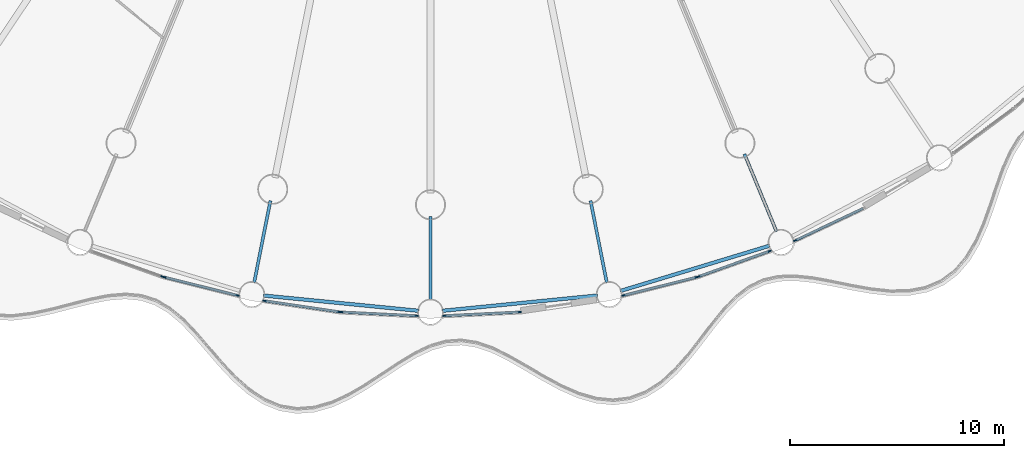
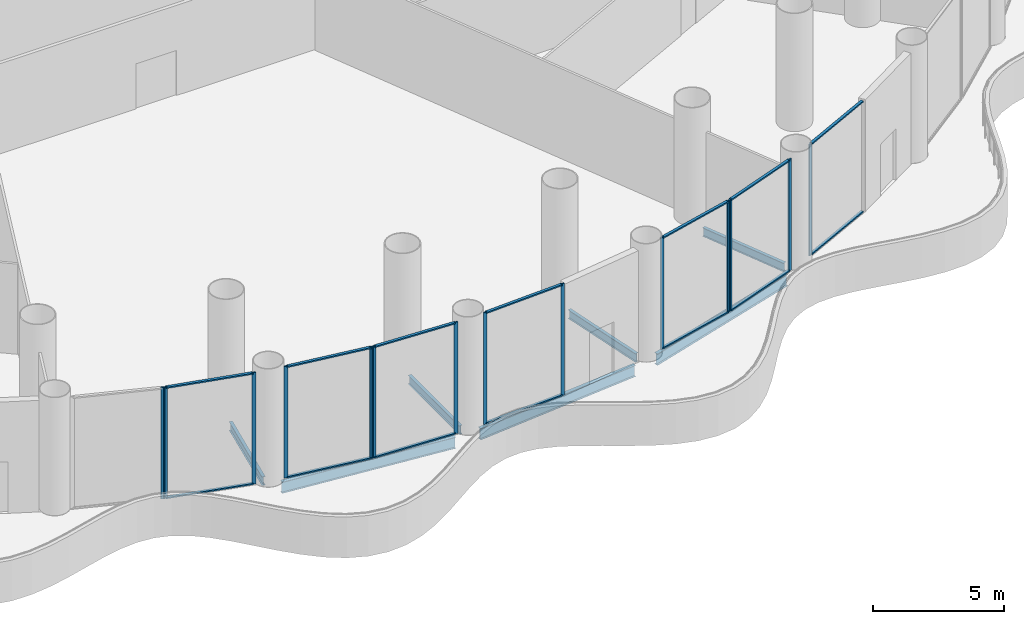
# One storey, part 5 of 37: 28 members, 7 beams, 8 elements without a shape of their own.
"""IFC4 building model written with IfcOpenShell, lengths in metres."""

from ifc_helpers import new_model, si_unit, direction, frame, origin, origin_2d, place, context, subcontext, project, spatial, rectangle, i_section, extrude, material, material_profile, profile_set, type_object, element, aggregate, save


model = new_model("IFC4")

# Units and contexts
model_context = context("Model", 3, precision=1e-05, world=origin(), true_north=direction((0.0, 1.0)))
body_context = subcontext(model_context, "Body", "Model", "MODEL_VIEW")
ifc_project = project(units=[si_unit("LENGTHUNIT", "METRE"), si_unit("AREAUNIT", "SQUARE_METRE"), si_unit("VOLUMEUNIT", "CUBIC_METRE"), si_unit("PLANEANGLEUNIT", "RADIAN"), si_unit("MASSUNIT", "GRAM", prefix="KILO")], contexts=[model_context])

# Site, building, storey
site_placement = place(None, origin())
site = spatial("IfcSite", under=ifc_project, at=site_placement, CompositionType="ELEMENT")
building_placement = place(site_placement, origin())
building = spatial("IfcBuilding", under=site, at=building_placement, Name="Corvane Civic Tower", CompositionType="ELEMENT")
storey_placement = place(building_placement, frame((0.0, 0.0, 11.5)))
storey = spatial("IfcBuildingStorey", under=building, at=storey_placement, Name="L02", CompositionType="ELEMENT", Elevation=11.5)

# Beams
ifc_material_1 = material(Name="Steel ASTM A992 Gr 50", Category="steel")
ifc_material_profile_1 = material_profile(ifc_material_1, i_section(OverallWidth=0.165771484375, OverallDepth=0.5283203125, WebThickness=0.009765625, FlangeThickness=0.013671875, at=origin_2d()), Name="W21X50")
ifc_profile_set_1 = profile_set([ifc_material_profile_1], Name="Steel ASTM A992 Gr 50")
beam_type_1 = type_object("IfcBeamType", Name="EDGE BEAM W21X50", PredefinedType="BEAM", material=ifc_profile_set_1)
for number, where, z_axis, x_axis, name in (
    (1, (15.814208984375, -39.609375, -0.564208984375), (-0.956938225664, -0.290291633127, 0.0), (0.290291633127, -0.956938225664, 0.0), "BM-L02-E15"),
    (2, (7.782958984375, -41.93359375, -0.564208984375), (-0.995187967953, -0.097984225478, 0.0), (0.097984225478, -0.995187967953, 0.0), "BM-L02-E16"),
    (3, (-0.54736328125, -42.64599609375, -0.564208984375), (-0.995187967953, 0.097984225478, 0.0), (-0.097984225478, -0.995187967953, 0.0), "BM-L02-E17"),
):
    element("IfcBeam", number, at=place(storey_placement, frame(where, z_axis=z_axis, x_axis=x_axis)), inside=storey, type_object=beam_type_1, Name=name, PredefinedType="BEAM", context=body_context, shape_type="SweptSolid", body=[
        extrude(i_section(OverallWidth=0.165771484375, OverallDepth=0.5283203125, WebThickness=0.009765625, FlangeThickness=0.013671875, at=origin_2d()), origin(), (0.0, 0.0, 1.0), 7.2705078125),
    ])
ifc_material_2 = material(Name="Steel ASTM A992 Gr 50", Category="steel")
ifc_material_profile_2 = material_profile(ifc_material_2, i_section(OverallWidth=0.140380859375, OverallDepth=0.40380859375, WebThickness=0.007080078125, FlangeThickness=0.01123046875, at=origin_2d()), Name="W16X31")
ifc_profile_set_2 = profile_set([ifc_material_profile_2], Name="Steel ASTM A992 Gr 50")
beam_type_2 = type_object("IfcBeamType", Name="FLOOR GIRDER W16X31", PredefinedType="BEAM", material=ifc_profile_set_2)
for number, where, z_axis, x_axis, name in (
    (4, (14.6376953125, -35.33837890625, -0.501953125), (0.382685369162, -0.923878730261, 0.0), (0.923878730261, 0.382685369162, 0.0), "BM-L02-G15b"),
    (5, (7.462158203125, -37.51513671875, -0.501953125), (0.195128858343, -0.980777614264, 0.0), (0.980777614264, 0.195128858343, 0.0), "BM-L02-G16b"),
    (6, (0.0, -38.25, -0.501953125), (0.0, -1.0, 0.0), (1.0, 0.0, 0.0), "BM-L02-G17b"),
    (7, (-7.462158203125, -37.51513671875, -0.501953125), (-0.195128858343, -0.980777614264, 0.0), (0.980777614264, -0.195128858343, 0.0), "BM-L02-G18b"),
):
    element("IfcBeam", number, at=place(storey_placement, frame(where, z_axis=z_axis, x_axis=x_axis)), inside=storey, type_object=beam_type_2, Name=name, PredefinedType="BEAM", context=body_context, shape_type="SweptSolid", body=[
        extrude(i_section(OverallWidth=0.140380859375, OverallDepth=0.40380859375, WebThickness=0.007080078125, FlangeThickness=0.01123046875, at=origin_2d()), origin(), (0.0, 0.0, 1.0), 3.89990234375),
    ])

# Curtain wall, member
ifc_material_3 = material(Name="Aluminium and glass", Category="aluminium")
curtain_wall_type = type_object("IfcCurtainWallType", Name="PODIUM-CW-P-RUN", PredefinedType="NOTDEFINED", material=ifc_material_3)
curtain_wall_1_placement = place(storey_placement, origin())
curtain_wall_1 = element("IfcCurtainWall", 8, at=curtain_wall_1_placement, inside=storey, type_object=curtain_wall_type, Name="PODI run L02-drum-14B", PredefinedType="NOTDEFINED")
ifc_material_4 = material(Name="Anodised aluminium bronze", Category="aluminium")
ifc_material_profile_3 = material_profile(ifc_material_4, rectangle(XDim=0.06005859375, YDim=0.159912109375, at=origin_2d()), Name="AL 60x160")
ifc_profile_set_3 = profile_set([ifc_material_profile_3], Name="Anodised aluminium bronze")
member_type_1 = type_object("IfcMemberType", Name="PODIUM-CWP-MULLION-60x160", PredefinedType="MULLION", material=ifc_profile_set_3)
member_1_placement = place(storey_placement, frame((17.00439453125, -39.36767578125, 0.0), z_axis=(0.0, 0.0, 1.0), x_axis=(0.42755312852, -0.903990222454, 0.0)))
member_1 = element("IfcMember", 9, at=member_1_placement, type_object=member_type_1, Name="CW-P mullion 2", PredefinedType="MULLION", context=body_context, shape_type="SweptSolid", body=[
    extrude(rectangle(XDim=0.06005859375, YDim=0.159912109375, at=origin_2d()), origin(), (0.0, 0.0, 1.0), 5.199951171875),
])

# Curtain wall, members
curtain_wall_2_placement = place(storey_placement, origin())
curtain_wall_2 = element("IfcCurtainWall", 10, at=curtain_wall_2_placement, inside=storey, type_object=curtain_wall_type, Name="PODI run L02-drum-15A", PredefinedType="NOTDEFINED")
member_2_placement = place(storey_placement, frame((15.81298828125, -39.861083984375, 0.0), z_axis=(0.0, 0.0, 1.0), x_axis=(0.336918534123, -0.941533802561, 0.0)))
member_2 = element("IfcMember", 11, at=member_2_placement, type_object=member_type_1, Name="CW-P mullion 1", PredefinedType="MULLION", context=body_context, shape_type="SweptSolid", body=[
    extrude(rectangle(XDim=0.06005859375, YDim=0.159912109375, at=origin_2d()), origin(), (0.0, 0.0, 1.0), 5.199951171875),
])
member_3_placement = place(storey_placement, frame((12.4990234375, -41.046875, 0.0), z_axis=(0.0, 0.0, 1.0), x_axis=(0.336918534123, -0.941533802561, 0.0)))
member_3 = element("IfcMember", 12, at=member_3_placement, type_object=member_type_1, Name="CW-P mullion 2", PredefinedType="MULLION", context=body_context, shape_type="SweptSolid", body=[
    extrude(rectangle(XDim=0.06005859375, YDim=0.159912109375, at=origin_2d()), origin(), (0.0, 0.0, 1.0), 5.199951171875),
])

curtain_wall_3_placement = place(storey_placement, origin())
curtain_wall_3 = element("IfcCurtainWall", 13, at=curtain_wall_3_placement, inside=storey, type_object=curtain_wall_type, Name="PODI run L02-drum-15B", PredefinedType="NOTDEFINED")
member_4_placement = place(storey_placement, frame((12.411865234375, -41.0732421875, 0.0), z_axis=(0.0, 0.0, 1.0), x_axis=(0.243008852393, -0.970024070659, 0.0)))
member_4 = element("IfcMember", 14, at=member_4_placement, type_object=member_type_1, Name="CW-P mullion 1", PredefinedType="MULLION", context=body_context, shape_type="SweptSolid", body=[
    extrude(rectangle(XDim=0.06005859375, YDim=0.159912109375, at=origin_2d()), origin(), (0.0, 0.0, 1.0), 5.199951171875),
])
member_5_placement = place(storey_placement, frame((8.99755859375, -41.9287109375, 0.0), z_axis=(0.0, 0.0, 1.0), x_axis=(0.243008852393, -0.970024070659, 0.0)))
member_5 = element("IfcMember", 15, at=member_5_placement, type_object=member_type_1, Name="CW-P mullion 2", PredefinedType="MULLION", context=body_context, shape_type="SweptSolid", body=[
    extrude(rectangle(XDim=0.06005859375, YDim=0.159912109375, at=origin_2d()), origin(), (0.0, 0.0, 1.0), 5.199951171875),
])

curtain_wall_4_placement = place(storey_placement, origin())
curtain_wall_4 = element("IfcCurtainWall", 16, at=curtain_wall_4_placement, inside=storey, type_object=curtain_wall_type, Name="PODI run L02-drum-16B", PredefinedType="NOTDEFINED")
member_6_placement = place(storey_placement, frame((4.16064453125, -42.70556640625, 0.0), z_axis=(0.0, 0.0, 1.0), x_axis=(0.04905015332, -0.998796316803, 0.0)))
member_6 = element("IfcMember", 17, at=member_6_placement, type_object=member_type_1, Name="CW-P mullion 1", PredefinedType="MULLION", context=body_context, shape_type="SweptSolid", body=[
    extrude(rectangle(XDim=0.06005859375, YDim=0.159912109375, at=origin_2d()), origin(), (0.0, 0.0, 1.0), 5.199951171875),
])
member_7_placement = place(storey_placement, frame((0.644775390625, -42.878173828125, 0.0), z_axis=(0.0, 0.0, 1.0), x_axis=(0.04905015332, -0.998796316803, 0.0)))
member_7 = element("IfcMember", 18, at=member_7_placement, type_object=member_type_1, Name="CW-P mullion 2", PredefinedType="MULLION", context=body_context, shape_type="SweptSolid", body=[
    extrude(rectangle(XDim=0.06005859375, YDim=0.159912109375, at=origin_2d()), origin(), (0.0, 0.0, 1.0), 5.199951171875),
])

curtain_wall_5_placement = place(storey_placement, origin())
curtain_wall_5 = element("IfcCurtainWall", 19, at=curtain_wall_5_placement, inside=storey, type_object=curtain_wall_type, Name="PODI run L02-drum-17A", PredefinedType="NOTDEFINED")
member_8_placement = place(storey_placement, frame((-0.644775390625, -42.878173828125, 0.0), z_axis=(0.0, 0.0, 1.0), x_axis=(-0.04905015332, -0.998796316803, 0.0)))
member_8 = element("IfcMember", 20, at=member_8_placement, type_object=member_type_1, Name="CW-P mullion 1", PredefinedType="MULLION", context=body_context, shape_type="SweptSolid", body=[
    extrude(rectangle(XDim=0.06005859375, YDim=0.159912109375, at=origin_2d()), origin(), (0.0, 0.0, 1.0), 5.199951171875),
])
member_9_placement = place(storey_placement, frame((-4.16064453125, -42.70556640625, 0.0), z_axis=(0.0, 0.0, 1.0), x_axis=(-0.04905015332, -0.998796316803, 0.0)))
member_9 = element("IfcMember", 21, at=member_9_placement, type_object=member_type_1, Name="CW-P mullion 2", PredefinedType="MULLION", context=body_context, shape_type="SweptSolid", body=[
    extrude(rectangle(XDim=0.06005859375, YDim=0.159912109375, at=origin_2d()), origin(), (0.0, 0.0, 1.0), 5.199951171875),
])

curtain_wall_6_placement = place(storey_placement, origin())
curtain_wall_6 = element("IfcCurtainWall", 22, at=curtain_wall_6_placement, inside=storey, type_object=curtain_wall_type, Name="PODI run L02-drum-17B", PredefinedType="NOTDEFINED")
member_10_placement = place(storey_placement, frame((-4.2509765625, -42.696533203125, 0.0), z_axis=(0.0, 0.0, 1.0), x_axis=(-0.146714694252, -0.989178850608, 0.0)))
member_10 = element("IfcMember", 23, at=member_10_placement, type_object=member_type_1, Name="CW-P mullion 1", PredefinedType="MULLION", context=body_context, shape_type="SweptSolid", body=[
    extrude(rectangle(XDim=0.06005859375, YDim=0.159912109375, at=origin_2d()), origin(), (0.0, 0.0, 1.0), 5.199951171875),
])
member_11_placement = place(storey_placement, frame((-7.732666015625, -42.18017578125, 0.0), z_axis=(0.0, 0.0, 1.0), x_axis=(-0.146714694252, -0.989178850608, 0.0)))
member_11 = element("IfcMember", 24, at=member_11_placement, type_object=member_type_1, Name="CW-P mullion 2", PredefinedType="MULLION", context=body_context, shape_type="SweptSolid", body=[
    extrude(rectangle(XDim=0.06005859375, YDim=0.159912109375, at=origin_2d()), origin(), (0.0, 0.0, 1.0), 5.199951171875),
])

curtain_wall_7_placement = place(storey_placement, origin())
curtain_wall_7 = element("IfcCurtainWall", 25, at=curtain_wall_7_placement, inside=storey, type_object=curtain_wall_type, Name="PODI run L02-drum-18A", PredefinedType="NOTDEFINED")
member_12_placement = place(storey_placement, frame((-8.99755859375, -41.9287109375, 0.0), z_axis=(0.0, 0.0, 1.0), x_axis=(-0.243008852393, -0.970024070659, 0.0)))
member_12 = element("IfcMember", 26, at=member_12_placement, type_object=member_type_1, Name="CW-P mullion 1", PredefinedType="MULLION", context=body_context, shape_type="SweptSolid", body=[
    extrude(rectangle(XDim=0.06005859375, YDim=0.159912109375, at=origin_2d()), origin(), (0.0, 0.0, 1.0), 5.199951171875),
])
member_13_placement = place(storey_placement, frame((-12.411865234375, -41.0732421875, 0.0), z_axis=(0.0, 0.0, 1.0), x_axis=(-0.243008852393, -0.970024070659, 0.0)))
member_13 = element("IfcMember", 27, at=member_13_placement, type_object=member_type_1, Name="CW-P mullion 2", PredefinedType="MULLION", context=body_context, shape_type="SweptSolid", body=[
    extrude(rectangle(XDim=0.06005859375, YDim=0.159912109375, at=origin_2d()), origin(), (0.0, 0.0, 1.0), 5.199951171875),
])

# Curtain wall, member
curtain_wall_8_placement = place(storey_placement, origin())
curtain_wall_8 = element("IfcCurtainWall", 28, at=curtain_wall_8_placement, inside=storey, type_object=curtain_wall_type, Name="PODI run L02-drum-18B", PredefinedType="NOTDEFINED")
member_14_placement = place(storey_placement, frame((-12.4990234375, -41.046875, 0.0), z_axis=(0.0, 0.0, 1.0), x_axis=(-0.336918534123, -0.941533802561, 0.0)))
member_14 = element("IfcMember", 29, at=member_14_placement, type_object=member_type_1, Name="CW-P mullion 1", PredefinedType="MULLION", context=body_context, shape_type="SweptSolid", body=[
    extrude(rectangle(XDim=0.06005859375, YDim=0.159912109375, at=origin_2d()), origin(), (0.0, 0.0, 1.0), 5.199951171875),
])
aggregate(curtain_wall_8, [member_14])

# Member
ifc_material_5 = material(Name="Anodised aluminium bronze", Category="aluminium")
ifc_material_profile_4 = material_profile(ifc_material_5, rectangle(XDim=0.1201171875, YDim=0.06005859375, at=origin_2d()), Name="AL 120x60")
ifc_profile_set_4 = profile_set([ifc_material_profile_4], Name="Anodised aluminium bronze")
member_type_2 = type_object("IfcMemberType", Name="PODIUM-CWP-TRANSOM-60x120", PredefinedType="USERDEFINED", material=ifc_profile_set_4)
member_15_placement = place(storey_placement, frame((20.1591796875, -37.87548828125, 0.030029296875), z_axis=(-0.903993431638, -0.427546343166, 0.0), x_axis=(0.427546343166, -0.903993431638, 0.0)))
member_15 = element("IfcMember", 30, at=member_15_placement, type_object=member_type_2, Name="CW-P transom 1.1", ObjectType="TRANSOM", PredefinedType="USERDEFINED", context=body_context, shape_type="SweptSolid", body=[
    extrude(rectangle(XDim=0.1201171875, YDim=0.06005859375, at=origin_2d()), origin(), (0.0, 0.0, 1.0), 3.4599609375),
])

member_16_placement = place(storey_placement, frame((20.1591796875, -37.87548828125, 5.169921875), z_axis=(-0.903993431638, -0.427546343166, 0.0), x_axis=(0.427546343166, -0.903993431638, 0.0)))
member_16 = element("IfcMember", 31, at=member_16_placement, type_object=member_type_2, Name="CW-P transom 1.2", ObjectType="TRANSOM", PredefinedType="USERDEFINED", context=body_context, shape_type="SweptSolid", body=[
    extrude(rectangle(XDim=0.1201171875, YDim=0.06005859375, at=origin_2d()), origin(), (0.0, 0.0, 1.0), 3.4599609375),
])

aggregate(curtain_wall_1, [member_1, member_15, member_16])

member_17_placement = place(storey_placement, frame((15.78466796875, -39.87109375, 0.030029296875), z_axis=(-0.941526196838, -0.336939787896, 0.0), x_axis=(0.336939787896, -0.941526196838, 0.0)))
member_17 = element("IfcMember", 32, at=member_17_placement, type_object=member_type_2, Name="CW-P transom 1.1", ObjectType="TRANSOM", PredefinedType="USERDEFINED", context=body_context, shape_type="SweptSolid", body=[
    extrude(rectangle(XDim=0.1201171875, YDim=0.06005859375, at=origin_2d()), origin(), (0.0, 0.0, 1.0), 3.4599609375),
])

member_18_placement = place(storey_placement, frame((15.78466796875, -39.87109375, 5.169921875), z_axis=(-0.941526196838, -0.336939787896, 0.0), x_axis=(0.336939787896, -0.941526196838, 0.0)))
member_18 = element("IfcMember", 33, at=member_18_placement, type_object=member_type_2, Name="CW-P transom 1.2", ObjectType="TRANSOM", PredefinedType="USERDEFINED", context=body_context, shape_type="SweptSolid", body=[
    extrude(rectangle(XDim=0.1201171875, YDim=0.06005859375, at=origin_2d()), origin(), (0.0, 0.0, 1.0), 3.4599609375),
])

aggregate(curtain_wall_2, [member_2, member_3, member_17, member_18])

member_19_placement = place(storey_placement, frame((12.3828125, -41.08056640625, 0.030029296875), z_axis=(-0.970022009425, -0.243017080124, 0.0), x_axis=(0.243017080124, -0.970022009425, 0.0)))
member_19 = element("IfcMember", 34, at=member_19_placement, type_object=member_type_2, Name="CW-P transom 1.1", ObjectType="TRANSOM", PredefinedType="USERDEFINED", context=body_context, shape_type="SweptSolid", body=[
    extrude(rectangle(XDim=0.1201171875, YDim=0.06005859375, at=origin_2d()), origin(), (0.0, 0.0, 1.0), 3.4599609375),
])

member_20_placement = place(storey_placement, frame((12.3828125, -41.08056640625, 5.169921875), z_axis=(-0.970022009425, -0.243017080124, 0.0), x_axis=(0.243017080124, -0.970022009425, 0.0)))
member_20 = element("IfcMember", 35, at=member_20_placement, type_object=member_type_2, Name="CW-P transom 1.2", ObjectType="TRANSOM", PredefinedType="USERDEFINED", context=body_context, shape_type="SweptSolid", body=[
    extrude(rectangle(XDim=0.1201171875, YDim=0.06005859375, at=origin_2d()), origin(), (0.0, 0.0, 1.0), 3.4599609375),
])

aggregate(curtain_wall_3, [member_4, member_5, member_19, member_20])

member_21_placement = place(storey_placement, frame((4.130615234375, -42.70703125, 0.030029296875), z_axis=(-0.998796806423, -0.049040182301, 0.0), x_axis=(0.049040182301, -0.998796806423, 0.0)))
member_21 = element("IfcMember", 36, at=member_21_placement, type_object=member_type_2, Name="CW-P transom 1.1", ObjectType="TRANSOM", PredefinedType="USERDEFINED", context=body_context, shape_type="SweptSolid", body=[
    extrude(rectangle(XDim=0.1201171875, YDim=0.06005859375, at=origin_2d()), origin(), (0.0, 0.0, 1.0), 3.4599609375),
])

member_22_placement = place(storey_placement, frame((4.130615234375, -42.70703125, 5.169921875), z_axis=(-0.998796806423, -0.049040182301, 0.0), x_axis=(0.049040182301, -0.998796806423, 0.0)))
member_22 = element("IfcMember", 37, at=member_22_placement, type_object=member_type_2, Name="CW-P transom 1.2", ObjectType="TRANSOM", PredefinedType="USERDEFINED", context=body_context, shape_type="SweptSolid", body=[
    extrude(rectangle(XDim=0.1201171875, YDim=0.06005859375, at=origin_2d()), origin(), (0.0, 0.0, 1.0), 3.4599609375),
])

aggregate(curtain_wall_4, [member_6, member_7, member_21, member_22])

member_23_placement = place(storey_placement, frame((-0.6748046875, -42.876708984375, 0.030029296875), z_axis=(-0.998796806423, 0.049040182301, 0.0), x_axis=(-0.049040182301, -0.998796806423, 0.0)))
member_23 = element("IfcMember", 38, at=member_23_placement, type_object=member_type_2, Name="CW-P transom 1.1", ObjectType="TRANSOM", PredefinedType="USERDEFINED", context=body_context, shape_type="SweptSolid", body=[
    extrude(rectangle(XDim=0.1201171875, YDim=0.06005859375, at=origin_2d()), origin(), (0.0, 0.0, 1.0), 3.4599609375),
])

member_24_placement = place(storey_placement, frame((-0.6748046875, -42.876708984375, 5.169921875), z_axis=(-0.998796806423, 0.049040182301, 0.0), x_axis=(-0.049040182301, -0.998796806423, 0.0)))
member_24 = element("IfcMember", 39, at=member_24_placement, type_object=member_type_2, Name="CW-P transom 1.2", ObjectType="TRANSOM", PredefinedType="USERDEFINED", context=body_context, shape_type="SweptSolid", body=[
    extrude(rectangle(XDim=0.1201171875, YDim=0.06005859375, at=origin_2d()), origin(), (0.0, 0.0, 1.0), 3.4599609375),
])

aggregate(curtain_wall_5, [member_8, member_9, member_23, member_24])

member_25_placement = place(storey_placement, frame((-4.28076171875, -42.692138671875, 0.030029296875), z_axis=(-0.989180338828, 0.146704660039, 0.0), x_axis=(-0.146704660039, -0.989180338828, 0.0)))
member_25 = element("IfcMember", 40, at=member_25_placement, type_object=member_type_2, Name="CW-P transom 1.1", ObjectType="TRANSOM", PredefinedType="USERDEFINED", context=body_context, shape_type="SweptSolid", body=[
    extrude(rectangle(XDim=0.1201171875, YDim=0.06005859375, at=origin_2d()), origin(), (0.0, 0.0, 1.0), 3.459716796875),
])

member_26_placement = place(storey_placement, frame((-4.28076171875, -42.692138671875, 5.169921875), z_axis=(-0.989180338828, 0.146704660039, 0.0), x_axis=(-0.146704660039, -0.989180338828, 0.0)))
member_26 = element("IfcMember", 41, at=member_26_placement, type_object=member_type_2, Name="CW-P transom 1.2", ObjectType="TRANSOM", PredefinedType="USERDEFINED", context=body_context, shape_type="SweptSolid", body=[
    extrude(rectangle(XDim=0.1201171875, YDim=0.06005859375, at=origin_2d()), origin(), (0.0, 0.0, 1.0), 3.459716796875),
])

aggregate(curtain_wall_6, [member_10, member_11, member_25, member_26])

member_27_placement = place(storey_placement, frame((-9.026611328125, -41.92138671875, 0.030029296875), z_axis=(-0.970022009425, 0.243017080124, 0.0), x_axis=(-0.243017080124, -0.970022009425, 0.0)))
member_27 = element("IfcMember", 42, at=member_27_placement, type_object=member_type_2, Name="CW-P transom 1.1", ObjectType="TRANSOM", PredefinedType="USERDEFINED", context=body_context, shape_type="SweptSolid", body=[
    extrude(rectangle(XDim=0.1201171875, YDim=0.06005859375, at=origin_2d()), origin(), (0.0, 0.0, 1.0), 3.4599609375),
])

member_28_placement = place(storey_placement, frame((-9.026611328125, -41.92138671875, 5.169921875), z_axis=(-0.970022009425, 0.243017080124, 0.0), x_axis=(-0.243017080124, -0.970022009425, 0.0)))
member_28 = element("IfcMember", 43, at=member_28_placement, type_object=member_type_2, Name="CW-P transom 1.2", ObjectType="TRANSOM", PredefinedType="USERDEFINED", context=body_context, shape_type="SweptSolid", body=[
    extrude(rectangle(XDim=0.1201171875, YDim=0.06005859375, at=origin_2d()), origin(), (0.0, 0.0, 1.0), 3.4599609375),
])

aggregate(curtain_wall_7, [member_12, member_13, member_27, member_28])

save(model, "model.ifc")
